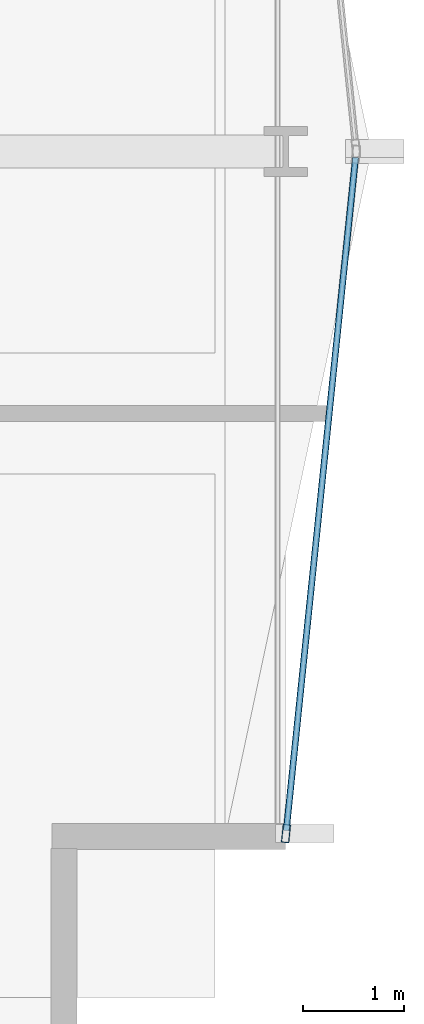
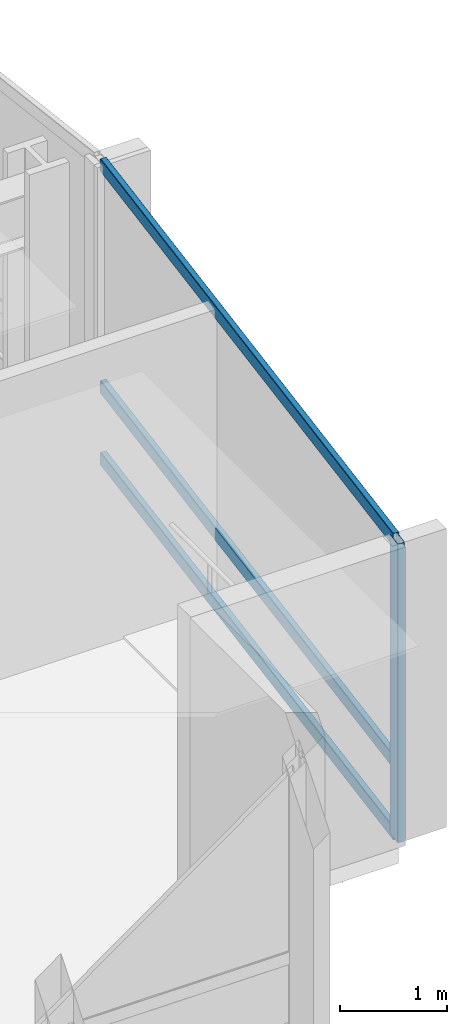
# One storey, part 13 of 34: 4 members, 1 element without a shape of its own.
"""IFC4 building model written with IfcOpenShell, lengths in metres."""

from ifc_helpers import new_model, si_unit, direction, frame, origin, origin_2d, place, context, subcontext, project, spatial, hollow_rectangle, extrude, material, layer, layer_set, material_profile, profile_set, type_object, element, aggregate, save


model = new_model("IFC4")

# Units and contexts
model_context = context("Model", 3, precision=1e-05, world=origin(), true_north=direction((0.0, 1.0)))
body_context = subcontext(model_context, "Body", "Model", "MODEL_VIEW")
ifc_project = project(units=[si_unit("LENGTHUNIT", "METRE"), si_unit("AREAUNIT", "SQUARE_METRE"), si_unit("VOLUMEUNIT", "CUBIC_METRE"), si_unit("PLANEANGLEUNIT", "RADIAN"), si_unit("MASSUNIT", "GRAM", prefix="KILO")], contexts=[model_context])

# Site, building, storey
site_placement = place(None, origin())
site = spatial("IfcSite", under=ifc_project, at=site_placement, CompositionType="ELEMENT")
building_placement = place(site_placement, origin())
building = spatial("IfcBuilding", under=site, at=building_placement, Name="Solvaryn Broadcast Tower", CompositionType="ELEMENT")
storey_placement = place(building_placement, frame((0.0, 0.0, 43.39990234375)))
storey = spatial("IfcBuildingStorey", under=building, at=storey_placement, Name="L09", CompositionType="ELEMENT", Elevation=43.39990234375)

# Curtain wall, members
ifc_material_1 = material(Name="Aluminium and Terracotta Unitised Curtain Wall", Category="masonry")
ifc_layer = layer(ifc_material_1, 0.199951171875)
ifc_layer_set = layer_set([ifc_layer], Name="CW-SYS2-LOWMID")
curtain_wall_type = type_object("IfcCurtainWallType", Name="CW-SYS2-LOWMID", PredefinedType="NOTDEFINED", material=ifc_layer_set)
curtain_wall_placement = place(storey_placement, origin())
curtain_wall = element("IfcCurtainWall", 1, at=curtain_wall_placement, inside=storey, type_object=curtain_wall_type, Name="L09 Curtain Wall ET2", PredefinedType="NOTDEFINED")
ifc_material_2 = material(Name="Anodised Aluminium 6063-T6", Category="aluminium")
ifc_material_profile_1 = material_profile(ifc_material_2, hollow_rectangle(XDim=0.074951171875, YDim=0.179931640625, WallThickness=0.00390625, InnerFilletRadius=0.00390625, OuterFilletRadius=0.008056640625, at=origin_2d()))
ifc_profile_set_1 = profile_set([ifc_material_profile_1], Name="Anodised Aluminium 6063-T6")
member_type_1 = type_object("IfcMemberType", Name="CW-MUL-180", PredefinedType="MULLION", material=ifc_profile_set_1)
member_1_placement = place(storey_placement, frame((63.003173828125, 11.229736328125, 0.0), z_axis=(0.0, 0.0, 1.0), x_axis=(0.99474329889, -0.10240004548, 0.0)))
member_1 = element("IfcMember", 2, at=member_1_placement, type_object=member_type_1, Name="CWS2 mullion 2", PredefinedType="MULLION", context=body_context, shape_type="SweptSolid", body=[
    extrude(hollow_rectangle(XDim=0.074951171875, YDim=0.179931640625, WallThickness=0.00390625, InnerFilletRadius=0.00390625, OuterFilletRadius=0.008056640625, at=origin_2d()), origin(), (0.0, 0.0, 1.0), 3.420166015625),
])
ifc_material_3 = material(Name="Anodised Aluminium 6063-T6", Category="aluminium")
ifc_material_profile_2 = material_profile(ifc_material_3, hollow_rectangle(XDim=0.06494140625, YDim=0.14990234375, WallThickness=0.00390625, InnerFilletRadius=0.00390625, OuterFilletRadius=0.008056640625, at=origin_2d()))
ifc_profile_set_2 = profile_set([ifc_material_profile_2], Name="Anodised Aluminium 6063-T6")
member_type_2 = type_object("IfcMemberType", Name="CW-TRN-150", PredefinedType="USERDEFINED", material=ifc_profile_set_2)
member_2_placement = place(storey_placement, frame((63.69384765625, 17.9404296875, 0.030029296875), z_axis=(-0.102404277363, -0.994742863245, 0.0), x_axis=(0.994742863245, -0.102404277363, 0.0)))
member_2 = element("IfcMember", 3, at=member_2_placement, type_object=member_type_2, Name="CWS2 transom 1.1", ObjectType="TRANSOM", PredefinedType="USERDEFINED", context=body_context, shape_type="SweptSolid", body=[
    extrude(hollow_rectangle(XDim=0.06494140625, YDim=0.14990234375, WallThickness=0.00390625, InnerFilletRadius=0.00390625, OuterFilletRadius=0.008056640625, at=origin_2d()), origin(), (0.0, 0.0, 1.0), 6.716064453125),
])
member_3_placement = place(storey_placement, frame((63.69384765625, 17.9404296875, 0.85009765625), z_axis=(-0.102404277363, -0.994742863245, 0.0), x_axis=(0.994742863245, -0.102404277363, 0.0)))
member_3 = element("IfcMember", 4, at=member_3_placement, type_object=member_type_2, Name="CWS2 transom 1.2", ObjectType="TRANSOM", PredefinedType="USERDEFINED", context=body_context, shape_type="SweptSolid", body=[
    extrude(hollow_rectangle(XDim=0.06494140625, YDim=0.14990234375, WallThickness=0.00390625, InnerFilletRadius=0.00390625, OuterFilletRadius=0.008056640625, at=origin_2d()), origin(), (0.0, 0.0, 1.0), 6.716064453125),
])
member_4_placement = place(storey_placement, frame((63.69384765625, 17.9404296875, 3.39013671875), z_axis=(-0.102404277363, -0.994742863245, 0.0), x_axis=(0.994742863245, -0.102404277363, 0.0)))
member_4 = element("IfcMember", 5, at=member_4_placement, type_object=member_type_2, Name="CWS2 transom 1.3", ObjectType="TRANSOM", PredefinedType="USERDEFINED", context=body_context, shape_type="SweptSolid", body=[
    extrude(hollow_rectangle(XDim=0.06494140625, YDim=0.14990234375, WallThickness=0.00390625, InnerFilletRadius=0.00390625, OuterFilletRadius=0.008056640625, at=origin_2d()), origin(), (0.0, 0.0, 1.0), 6.716064453125),
])
aggregate(curtain_wall, [member_1, member_2, member_3, member_4])

save(model, "model.ifc")
